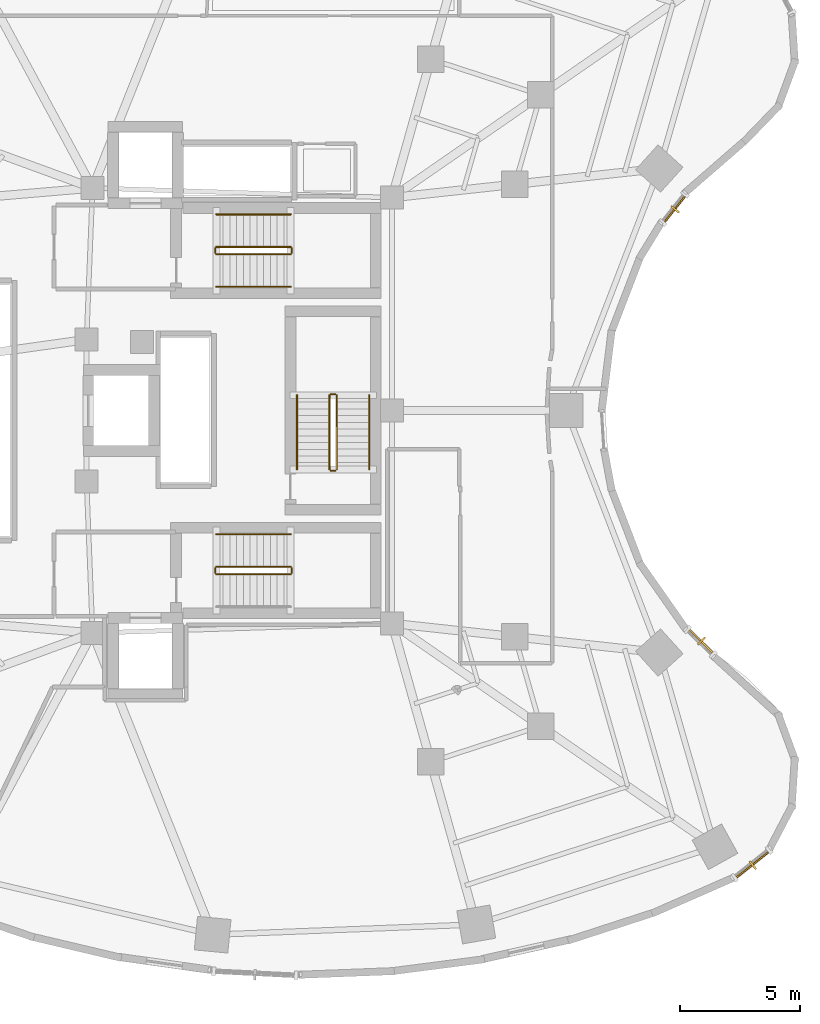
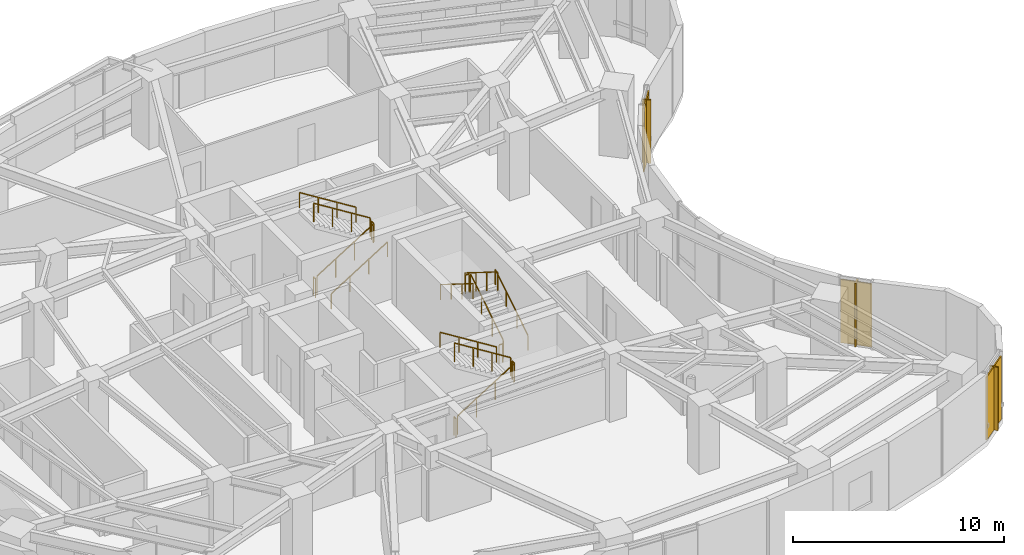
# One storey, part 13 of 14: 17 railings, 6 shading devices.
"""IFC4 building model written with IfcOpenShell, lengths in metres."""

from ifc_helpers import new_model, si_unit, direction, frame, origin, origin_2d, place, context, subcontext, project, spatial, rectangle, extrude, material, layer, layer_set, type_object, element, save


model = new_model("IFC4")

# Units and contexts
model_context = context("Model", 3, precision=1e-05, world=origin(), true_north=direction((0.0, 1.0)))
body_context = subcontext(model_context, "Body", "Model", "MODEL_VIEW")
ifc_project = project(units=[si_unit("LENGTHUNIT", "METRE"), si_unit("AREAUNIT", "SQUARE_METRE"), si_unit("VOLUMEUNIT", "CUBIC_METRE"), si_unit("PLANEANGLEUNIT", "RADIAN"), si_unit("MASSUNIT", "GRAM", prefix="KILO")], contexts=[model_context])

# Site, building, storey
site_placement = place(None, origin())
site = spatial("IfcSite", under=ifc_project, at=site_placement, CompositionType="ELEMENT")
building_placement = place(site_placement, origin())
building = spatial("IfcBuilding", under=site, at=building_placement, Name="Korentha Bioscience Tower", CompositionType="ELEMENT")
storey_placement = place(building_placement, frame((0.0, 0.0, 63.60009765625)))
storey = spatial("IfcBuildingStorey", under=building, at=storey_placement, Name="L14", CompositionType="ELEMENT", Elevation=63.60009765625)

# Railings
ifc_material_1 = material(Name="Stainless Steel 304", Category="steel")
railing_type_1 = type_object("IfcRailingType", Name="Brushed Stainless Stair Handrail 900", PredefinedType="HANDRAIL", material=ifc_material_1)
railing_1_placement = place(storey_placement, frame((30.25, 32.14990234375, 0.1748046875)))
element("IfcRailing", 1, at=railing_1_placement, inside=storey, type_object=railing_type_1, Name="L14 ST-1 stair handrail 1", PredefinedType="HANDRAIL", context=body_context, shape_type="SweptSolid", body=[
    extrude(rectangle(XDim=0.048095703125, YDim=0.048095703125, at=origin_2d()), frame((0.0, 0.0, 0.8759765625), z_axis=(0.847998304005, 0.0, 0.529998940003), x_axis=(0.0, 1.0, 0.0)), (0.0, 0.0, 1.0), 3.632080078125),
    extrude(rectangle(XDim=0.0419921875, YDim=0.0419921875, at=origin_2d()), origin(), (0.0, 0.0, 1.0), 0.851806640625),
    extrude(rectangle(XDim=0.0419921875, YDim=0.0419921875, at=origin_2d()), frame((1.026611328125, 0.0, 0.6416015625)), (0.0, 0.0, 1.0), 0.851806640625),
    extrude(rectangle(XDim=0.0419921875, YDim=0.0419921875, at=origin_2d()), frame((2.053466796875, 0.0, 1.283447265625)), (0.0, 0.0, 1.0), 0.851806640625),
    extrude(rectangle(XDim=0.0419921875, YDim=0.0419921875, at=origin_2d()), frame((3.080078125, 0.0, 1.925048828125)), (0.0, 0.0, 1.0), 0.851806640625),
])
for number, where, name in (
    (2, (33.330078125, 35.14990234375, 2.27490234375), "L14 ST-1 stair handrail 2"),
    (3, (33.330078125, 21.85009765625, 2.27490234375), "L14 ST-2 stair handrail 2"),
):
    element("IfcRailing", number, at=place(storey_placement, frame(where)), inside=storey, type_object=railing_type_1, Name=name, PredefinedType="HANDRAIL", context=body_context, shape_type="SweptSolid", body=[
        extrude(rectangle(XDim=0.048095703125, YDim=0.048095703125, at=origin_2d()), frame((0.0, 0.0, 0.8759765625), z_axis=(-0.847998304005, 0.0, 0.529998940003), x_axis=(0.0, -1.0, 0.0)), (0.0, 0.0, 1.0), 3.632080078125),
        extrude(rectangle(XDim=0.0419921875, YDim=0.0419921875, at=origin_2d()), origin(), (0.0, 0.0, 1.0), 0.851806640625),
        extrude(rectangle(XDim=0.0419921875, YDim=0.0419921875, at=origin_2d()), frame((-1.026611328125, 0.0, 0.6416015625)), (0.0, 0.0, 1.0), 0.851806640625),
        extrude(rectangle(XDim=0.0419921875, YDim=0.0419921875, at=origin_2d()), frame((-2.053466796875, 0.0, 1.283447265625)), (0.0, 0.0, 1.0), 0.851806640625),
        extrude(rectangle(XDim=0.0419921875, YDim=0.0419921875, at=origin_2d()), frame((-3.080078125, 0.0, 1.925048828125)), (0.0, 0.0, 1.0), 0.851806640625),
    ])
railing_2_placement = place(storey_placement, frame((36.60009765625, 24.550048828125, 0.1748046875)))
element("IfcRailing", 4, at=railing_2_placement, inside=storey, type_object=railing_type_1, Name="L14 ST-3 stair handrail 1", PredefinedType="HANDRAIL", context=body_context, shape_type="SweptSolid", body=[
    extrude(rectangle(XDim=0.048095703125, YDim=0.048095703125, at=origin_2d()), frame((0.0, 0.0, 0.8759765625), z_axis=(0.0, 0.847979421464, 0.530029150871), x_axis=(-1.0, 0.0, 0.0)), (0.0, 0.0, 1.0), 3.632080078125),
    extrude(rectangle(XDim=0.0419921875, YDim=0.0419921875, at=origin_2d()), origin(), (0.0, 0.0, 1.0), 0.851806640625),
    extrude(rectangle(XDim=0.0419921875, YDim=0.0419921875, at=origin_2d()), frame((0.0, 1.026611328125, 0.6416015625)), (0.0, 0.0, 1.0), 0.851806640625),
    extrude(rectangle(XDim=0.0419921875, YDim=0.0419921875, at=origin_2d()), frame((0.0, 2.05322265625, 1.283447265625)), (0.0, 0.0, 1.0), 0.851806640625),
    extrude(rectangle(XDim=0.0419921875, YDim=0.0419921875, at=origin_2d()), frame((0.0, 3.079833984375, 1.925048828125)), (0.0, 0.0, 1.0), 0.851806640625),
])
railing_3_placement = place(storey_placement, frame((33.60009765625, 27.6298828125, 2.27490234375)))
element("IfcRailing", 5, at=railing_3_placement, inside=storey, type_object=railing_type_1, Name="L14 ST-3 stair handrail 2", PredefinedType="HANDRAIL", context=body_context, shape_type="SweptSolid", body=[
    extrude(rectangle(XDim=0.048095703125, YDim=0.048095703125, at=origin_2d()), frame((0.0, 0.0, 0.8759765625), z_axis=(0.0, -0.847979421464, 0.530029150871), x_axis=(1.0, 0.0, 0.0)), (0.0, 0.0, 1.0), 3.632080078125),
    extrude(rectangle(XDim=0.0419921875, YDim=0.0419921875, at=origin_2d()), origin(), (0.0, 0.0, 1.0), 0.851806640625),
    extrude(rectangle(XDim=0.0419921875, YDim=0.0419921875, at=origin_2d()), frame((0.0, -1.026611328125, 0.6416015625)), (0.0, 0.0, 1.0), 0.851806640625),
    extrude(rectangle(XDim=0.0419921875, YDim=0.0419921875, at=origin_2d()), frame((0.0, -2.05322265625, 1.283447265625)), (0.0, 0.0, 1.0), 0.851806640625),
    extrude(rectangle(XDim=0.0419921875, YDim=0.0419921875, at=origin_2d()), frame((0.0, -3.079833984375, 1.925048828125)), (0.0, 0.0, 1.0), 0.851806640625),
])
ifc_material_2 = material(Name="Painted Steel S275", Category="steel")
railing_type_2 = type_object("IfcRailingType", Name="Painted Steel Stair Well Guardrail 1100", PredefinedType="GUARDRAIL", material=ifc_material_2)
railing_4_placement = place(storey_placement, frame((30.25, 33.5, 0.1748046875)))
element("IfcRailing", 6, at=railing_4_placement, inside=storey, type_object=railing_type_2, Name="L14 ST-1 stair guard 1", PredefinedType="GUARDRAIL", context=body_context, shape_type="SweptSolid", body=[
    extrude(rectangle(XDim=0.048095703125, YDim=0.048095703125, at=origin_2d()), frame((0.0, 0.0, 1.076171875), z_axis=(0.847998304005, 0.0, 0.529998940003), x_axis=(0.0, 1.0, 0.0)), (0.0, 0.0, 1.0), 3.632080078125),
    extrude(rectangle(XDim=0.0419921875, YDim=0.0419921875, at=origin_2d()), origin(), (0.0, 0.0, 1.0), 1.052001953125),
    extrude(rectangle(XDim=0.0419921875, YDim=0.0419921875, at=origin_2d()), frame((1.026611328125, 0.0, 0.6416015625)), (0.0, 0.0, 1.0), 1.052001953125),
    extrude(rectangle(XDim=0.0419921875, YDim=0.0419921875, at=origin_2d()), frame((2.053466796875, 0.0, 1.283447265625)), (0.0, 0.0, 1.0), 1.052001953125),
    extrude(rectangle(XDim=0.0419921875, YDim=0.0419921875, at=origin_2d()), frame((3.080078125, 0.0, 1.925048828125)), (0.0, 0.0, 1.0), 1.052001953125),
])
railing_5_placement = place(storey_placement, frame((33.3798828125, 33.550048828125, 2.099853515625)))
element("IfcRailing", 7, at=railing_5_placement, inside=storey, type_object=railing_type_2, Name="L14 ST-1 stair guard 2", PredefinedType="GUARDRAIL", context=body_context, shape_type="SweptSolid", body=[
    extrude(rectangle(XDim=0.048095703125, YDim=0.048095703125, at=origin_2d()), frame((0.0, 0.0, 1.076171875), z_axis=(0.0, 1.0, 0.0), x_axis=(-1.0, 0.0, 0.0)), (0.0, 0.0, 1.0), 0.199951171875),
    extrude(rectangle(XDim=0.0419921875, YDim=0.0419921875, at=origin_2d()), origin(), (0.0, 0.0, 1.0), 1.052001953125),
    extrude(rectangle(XDim=0.0419921875, YDim=0.0419921875, at=origin_2d()), frame((0.0, 0.199951171875, 0.0)), (0.0, 0.0, 1.0), 1.052001953125),
])
railing_6_placement = place(storey_placement, frame((33.330078125, 33.800048828125, 2.27490234375)))
element("IfcRailing", 8, at=railing_6_placement, inside=storey, type_object=railing_type_2, Name="L14 ST-1 stair guard 3", PredefinedType="GUARDRAIL", context=body_context, shape_type="SweptSolid", body=[
    extrude(rectangle(XDim=0.048095703125, YDim=0.048095703125, at=origin_2d()), frame((0.0, 0.0, 1.076171875), z_axis=(-0.847998304005, 0.0, 0.529998940003), x_axis=(0.0, -1.0, 0.0)), (0.0, 0.0, 1.0), 3.632080078125),
    extrude(rectangle(XDim=0.0419921875, YDim=0.0419921875, at=origin_2d()), origin(), (0.0, 0.0, 1.0), 1.052001953125),
    extrude(rectangle(XDim=0.0419921875, YDim=0.0419921875, at=origin_2d()), frame((-1.026611328125, 0.0, 0.6416015625)), (0.0, 0.0, 1.0), 1.052001953125),
    extrude(rectangle(XDim=0.0419921875, YDim=0.0419921875, at=origin_2d()), frame((-2.053466796875, 0.0, 1.283447265625)), (0.0, 0.0, 1.0), 1.052001953125),
    extrude(rectangle(XDim=0.0419921875, YDim=0.0419921875, at=origin_2d()), frame((-3.080078125, 0.0, 1.925048828125)), (0.0, 0.0, 1.0), 1.052001953125),
])
railing_7_placement = place(storey_placement, frame((30.199951171875, 33.550048828125, 0.0)))
element("IfcRailing", 9, at=railing_7_placement, inside=storey, type_object=railing_type_2, Name="L14 ST-1 stair guard 4", PredefinedType="GUARDRAIL", context=body_context, shape_type="SweptSolid", body=[
    extrude(rectangle(XDim=0.048095703125, YDim=0.048095703125, at=origin_2d()), frame((0.0, 0.0, 1.076171875), z_axis=(0.0, 1.0, 0.0), x_axis=(-1.0, 0.0, 0.0)), (0.0, 0.0, 1.0), 0.199951171875),
    extrude(rectangle(XDim=0.0419921875, YDim=0.0419921875, at=origin_2d()), origin(), (0.0, 0.0, 1.0), 1.052001953125),
    extrude(rectangle(XDim=0.0419921875, YDim=0.0419921875, at=origin_2d()), frame((0.0, 0.199951171875, 0.0)), (0.0, 0.0, 1.0), 1.052001953125),
])
railing_8_placement = place(storey_placement, frame((30.25, 20.199951171875, 0.1748046875)))
element("IfcRailing", 10, at=railing_8_placement, inside=storey, type_object=railing_type_2, Name="L14 ST-2 stair guard 1", PredefinedType="GUARDRAIL", context=body_context, shape_type="SweptSolid", body=[
    extrude(rectangle(XDim=0.048095703125, YDim=0.048095703125, at=origin_2d()), frame((0.0, 0.0, 1.076171875), z_axis=(0.847998304005, 0.0, 0.529998940003), x_axis=(0.0, 1.0, 0.0)), (0.0, 0.0, 1.0), 3.632080078125),
    extrude(rectangle(XDim=0.0419921875, YDim=0.0419921875, at=origin_2d()), origin(), (0.0, 0.0, 1.0), 1.052001953125),
    extrude(rectangle(XDim=0.0419921875, YDim=0.0419921875, at=origin_2d()), frame((1.026611328125, 0.0, 0.6416015625)), (0.0, 0.0, 1.0), 1.052001953125),
    extrude(rectangle(XDim=0.0419921875, YDim=0.0419921875, at=origin_2d()), frame((2.053466796875, 0.0, 1.283447265625)), (0.0, 0.0, 1.0), 1.052001953125),
    extrude(rectangle(XDim=0.0419921875, YDim=0.0419921875, at=origin_2d()), frame((3.080078125, 0.0, 1.925048828125)), (0.0, 0.0, 1.0), 1.052001953125),
])
railing_9_placement = place(storey_placement, frame((33.3798828125, 20.25, 2.099853515625)))
element("IfcRailing", 11, at=railing_9_placement, inside=storey, type_object=railing_type_2, Name="L14 ST-2 stair guard 2", PredefinedType="GUARDRAIL", context=body_context, shape_type="SweptSolid", body=[
    extrude(rectangle(XDim=0.048095703125, YDim=0.048095703125, at=origin_2d()), frame((0.0, 0.0, 1.076171875), z_axis=(0.0, 1.0, 0.0), x_axis=(-1.0, 0.0, 0.0)), (0.0, 0.0, 1.0), 0.199951171875),
    extrude(rectangle(XDim=0.0419921875, YDim=0.0419921875, at=origin_2d()), origin(), (0.0, 0.0, 1.0), 1.052001953125),
    extrude(rectangle(XDim=0.0419921875, YDim=0.0419921875, at=origin_2d()), frame((0.0, 0.199951171875, 0.0)), (0.0, 0.0, 1.0), 1.052001953125),
])
railing_10_placement = place(storey_placement, frame((33.330078125, 20.5, 2.27490234375)))
element("IfcRailing", 12, at=railing_10_placement, inside=storey, type_object=railing_type_2, Name="L14 ST-2 stair guard 3", PredefinedType="GUARDRAIL", context=body_context, shape_type="SweptSolid", body=[
    extrude(rectangle(XDim=0.048095703125, YDim=0.048095703125, at=origin_2d()), frame((0.0, 0.0, 1.076171875), z_axis=(-0.847998304005, 0.0, 0.529998940003), x_axis=(0.0, -1.0, 0.0)), (0.0, 0.0, 1.0), 3.632080078125),
    extrude(rectangle(XDim=0.0419921875, YDim=0.0419921875, at=origin_2d()), origin(), (0.0, 0.0, 1.0), 1.052001953125),
    extrude(rectangle(XDim=0.0419921875, YDim=0.0419921875, at=origin_2d()), frame((-1.026611328125, 0.0, 0.6416015625)), (0.0, 0.0, 1.0), 1.052001953125),
    extrude(rectangle(XDim=0.0419921875, YDim=0.0419921875, at=origin_2d()), frame((-2.053466796875, 0.0, 1.283447265625)), (0.0, 0.0, 1.0), 1.052001953125),
    extrude(rectangle(XDim=0.0419921875, YDim=0.0419921875, at=origin_2d()), frame((-3.080078125, 0.0, 1.925048828125)), (0.0, 0.0, 1.0), 1.052001953125),
])
railing_11_placement = place(storey_placement, frame((30.199951171875, 20.25, 0.0)))
element("IfcRailing", 13, at=railing_11_placement, inside=storey, type_object=railing_type_2, Name="L14 ST-2 stair guard 4", PredefinedType="GUARDRAIL", context=body_context, shape_type="SweptSolid", body=[
    extrude(rectangle(XDim=0.048095703125, YDim=0.048095703125, at=origin_2d()), frame((0.0, 0.0, 1.076171875), z_axis=(0.0, 1.0, 0.0), x_axis=(-1.0, 0.0, 0.0)), (0.0, 0.0, 1.0), 0.199951171875),
    extrude(rectangle(XDim=0.0419921875, YDim=0.0419921875, at=origin_2d()), origin(), (0.0, 0.0, 1.0), 1.052001953125),
    extrude(rectangle(XDim=0.0419921875, YDim=0.0419921875, at=origin_2d()), frame((0.0, 0.199951171875, 0.0)), (0.0, 0.0, 1.0), 1.052001953125),
])
railing_12_placement = place(storey_placement, frame((35.25, 24.550048828125, 0.1748046875)))
element("IfcRailing", 14, at=railing_12_placement, inside=storey, type_object=railing_type_2, Name="L14 ST-3 stair guard 1", PredefinedType="GUARDRAIL", context=body_context, shape_type="SweptSolid", body=[
    extrude(rectangle(XDim=0.048095703125, YDim=0.048095703125, at=origin_2d()), frame((0.0, 0.0, 1.076171875), z_axis=(0.0, 0.847979421464, 0.530029150871), x_axis=(-1.0, 0.0, 0.0)), (0.0, 0.0, 1.0), 3.632080078125),
    extrude(rectangle(XDim=0.0419921875, YDim=0.0419921875, at=origin_2d()), origin(), (0.0, 0.0, 1.0), 1.052001953125),
    extrude(rectangle(XDim=0.0419921875, YDim=0.0419921875, at=origin_2d()), frame((0.0, 1.026611328125, 0.6416015625)), (0.0, 0.0, 1.0), 1.052001953125),
    extrude(rectangle(XDim=0.0419921875, YDim=0.0419921875, at=origin_2d()), frame((0.0, 2.05322265625, 1.283447265625)), (0.0, 0.0, 1.0), 1.052001953125),
    extrude(rectangle(XDim=0.0419921875, YDim=0.0419921875, at=origin_2d()), frame((0.0, 3.079833984375, 1.925048828125)), (0.0, 0.0, 1.0), 1.052001953125),
])
railing_13_placement = place(storey_placement, frame((35.199951171875, 27.679931640625, 2.099853515625)))
element("IfcRailing", 15, at=railing_13_placement, inside=storey, type_object=railing_type_2, Name="L14 ST-3 stair guard 2", PredefinedType="GUARDRAIL", context=body_context, shape_type="SweptSolid", body=[
    extrude(rectangle(XDim=0.048095703125, YDim=0.048095703125, at=origin_2d()), frame((0.0, 0.0, 1.076171875), z_axis=(-1.0, 0.0, 0.0), x_axis=(0.0, -1.0, 0.0)), (0.0, 0.0, 1.0), 0.199951171875),
    extrude(rectangle(XDim=0.0419921875, YDim=0.0419921875, at=origin_2d()), origin(), (0.0, 0.0, 1.0), 1.052001953125),
    extrude(rectangle(XDim=0.0419921875, YDim=0.0419921875, at=origin_2d()), frame((-0.199951171875, 0.0, 0.0)), (0.0, 0.0, 1.0), 1.052001953125),
])
railing_14_placement = place(storey_placement, frame((34.949951171875, 27.6298828125, 2.27490234375)))
element("IfcRailing", 16, at=railing_14_placement, inside=storey, type_object=railing_type_2, Name="L14 ST-3 stair guard 3", PredefinedType="GUARDRAIL", context=body_context, shape_type="SweptSolid", body=[
    extrude(rectangle(XDim=0.048095703125, YDim=0.048095703125, at=origin_2d()), frame((0.0, 0.0, 1.076171875), z_axis=(0.0, -0.847979421464, 0.530029150871), x_axis=(1.0, 0.0, 0.0)), (0.0, 0.0, 1.0), 3.632080078125),
    extrude(rectangle(XDim=0.0419921875, YDim=0.0419921875, at=origin_2d()), origin(), (0.0, 0.0, 1.0), 1.052001953125),
    extrude(rectangle(XDim=0.0419921875, YDim=0.0419921875, at=origin_2d()), frame((0.0, -1.026611328125, 0.6416015625)), (0.0, 0.0, 1.0), 1.052001953125),
    extrude(rectangle(XDim=0.0419921875, YDim=0.0419921875, at=origin_2d()), frame((0.0, -2.05322265625, 1.283447265625)), (0.0, 0.0, 1.0), 1.052001953125),
    extrude(rectangle(XDim=0.0419921875, YDim=0.0419921875, at=origin_2d()), frame((0.0, -3.079833984375, 1.925048828125)), (0.0, 0.0, 1.0), 1.052001953125),
])
railing_15_placement = place(storey_placement, frame((35.199951171875, 24.5, 0.0)))
element("IfcRailing", 17, at=railing_15_placement, inside=storey, type_object=railing_type_2, Name="L14 ST-3 stair guard 4", PredefinedType="GUARDRAIL", context=body_context, shape_type="SweptSolid", body=[
    extrude(rectangle(XDim=0.048095703125, YDim=0.048095703125, at=origin_2d()), frame((0.0, 0.0, 1.076171875), z_axis=(-1.0, 0.0, 0.0), x_axis=(0.0, -1.0, 0.0)), (0.0, 0.0, 1.0), 0.199951171875),
    extrude(rectangle(XDim=0.0419921875, YDim=0.0419921875, at=origin_2d()), origin(), (0.0, 0.0, 1.0), 1.052001953125),
    extrude(rectangle(XDim=0.0419921875, YDim=0.0419921875, at=origin_2d()), frame((-0.199951171875, 0.0, 0.0)), (0.0, 0.0, 1.0), 1.052001953125),
])

# Shading devices
ifc_material_3 = material(Name="Perforated Stone-Ceramic Composite", Category="masonry")
ifc_layer_1 = layer(ifc_material_3, 0.06494140625, Name="Perforated Stone-Ceramic Composite")
ifc_layer_set_1 = layer_set([ifc_layer_1], Name="Perforated Stone-Ceramic Composite (CS-01)")
shading_device_type_1 = type_object("IfcShadingDeviceType", Name="Perforated Stone-Ceramic Solar Screen Panel 65", PredefinedType="USERDEFINED", material=ifc_layer_set_1)
shading_device_placement = place(storey_placement, frame((52.5380859375, 8.11328125, 0.0), z_axis=(0.0, 0.0, 1.0), x_axis=(0.782287851332, 0.62291710336, 0.0)))
element("IfcShadingDevice", 18, at=shading_device_placement, inside=storey, type_object=shading_device_type_1, Name="CW-L14-37 Perforated Stone-Ceramic Solar Screen", ObjectType="SCREEN", PredefinedType="USERDEFINED", context=body_context, shape_type="SweptSolid", body=[
    extrude(rectangle(XDim=1.927734375, YDim=0.06494140625, at=origin_2d()), origin(), (0.0, 0.0, 1.0), 3.64990234375),
])
for number, where, z_axis, x_axis, name in (
    (19, (50.4033203125, 17.406982421875, 0.0), (0.0, 0.0, 1.0), (-0.713279246754, 0.700879958445, 0.0), "CW-L14-43 Perforated Stone-Ceramic Solar Screen"),
    (20, (49.3046875, 35.37255859375, 0.0), (0.0, 0.0, 1.0), (0.622520324648, 0.782603632371, 0.0), "CW-L14-55 Perforated Stone-Ceramic Solar Screen"),
):
    element("IfcShadingDevice", number, at=place(storey_placement, frame(where, z_axis=z_axis, x_axis=x_axis)), inside=storey, type_object=shading_device_type_1, Name=name, ObjectType="SCREEN", PredefinedType="USERDEFINED", context=body_context, shape_type="SweptSolid", body=[
        extrude(rectangle(XDim=1.537841796875, YDim=0.06494140625, at=origin_2d()), origin(), (0.0, 0.0, 1.0), 3.64990234375),
    ])
ifc_material_4 = material(Name="Honed Travertine Limestone", Category="masonry")
ifc_layer_2 = layer(ifc_material_4, 0.080078125, Name="Honed Travertine Limestone")
ifc_layer_set_2 = layer_set([ifc_layer_2], Name="Honed Travertine Limestone (CS-02)")
shading_device_type_2 = type_object("IfcShadingDeviceType", Name="Vertical Honed Limestone Sunshade Fin 80x420", PredefinedType="USERDEFINED", material=ifc_layer_set_2)
for number, where, z_axis, x_axis, name in (
    (21, (52.550537109375, 8.09765625, 0.0), (0.0, 0.0, 1.0), (0.782287851332, 0.62291710336, 0.0), "CW-L14-37 Limestone Sunshade Fin"),
    (22, (50.41748046875, 17.42138671875, 0.0), (0.0, 0.0, 1.0), (-0.713279246754, 0.700879958445, 0.0), "CW-L14-43 Limestone Sunshade Fin"),
    (23, (49.3203125, 35.360107421875, 0.0), (0.0, 0.0, 1.0), (0.622520324648, 0.782603632371, 0.0), "CW-L14-55 Limestone Sunshade Fin"),
):
    element("IfcShadingDevice", number, at=place(storey_placement, frame(where, z_axis=z_axis, x_axis=x_axis)), inside=storey, type_object=shading_device_type_2, Name=name, ObjectType="SCREEN", PredefinedType="USERDEFINED", context=body_context, shape_type="SweptSolid", body=[
        extrude(rectangle(XDim=0.080078125, YDim=0.419921875, at=origin_2d()), origin(), (0.0, 0.0, 1.0), 3.64990234375),
    ])

save(model, "model.ifc")
